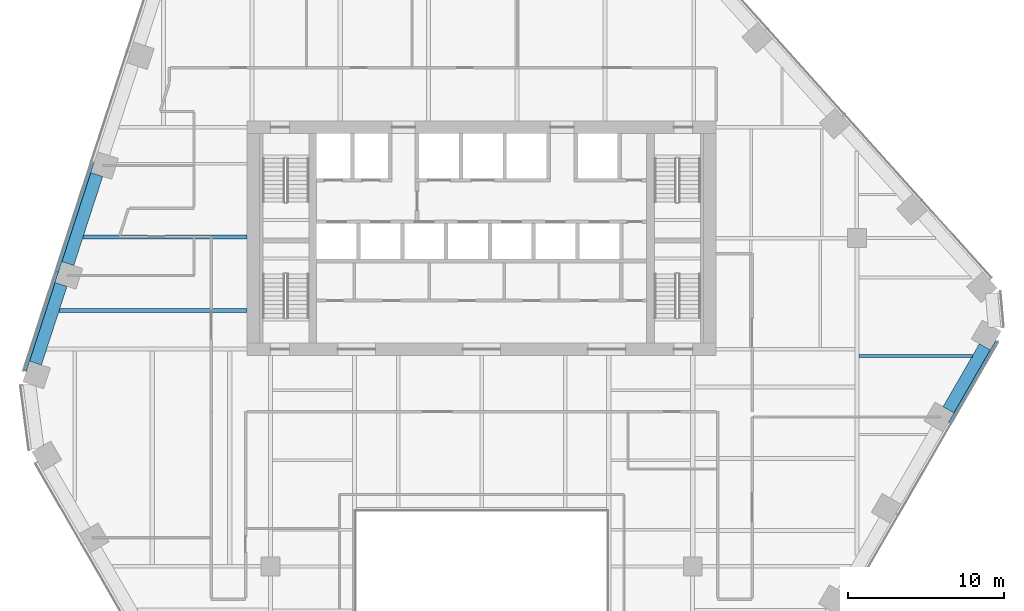
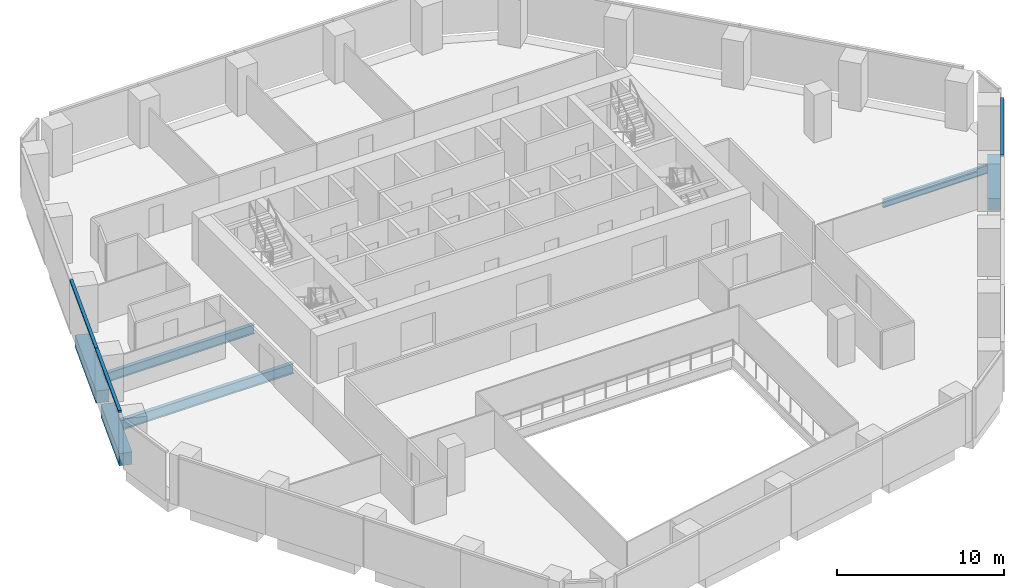
# One storey, part 6 of 16: 6 beams, 3 members, 2 elements without a shape of their own.
"""IFC4 building model written with IfcOpenShell, lengths in metres."""

from ifc_helpers import new_model, si_unit, direction, frame, origin, origin_2d, place, context, subcontext, project, spatial, rectangle, i_section, extrude, material, layer, layer_set, material_profile, profile_set, type_object, element, aggregate, save


model = new_model("IFC4")

# Units and contexts
model_context = context("Model", 3, precision=1e-05, world=origin(), true_north=direction((0.0, 1.0)))
body_context = subcontext(model_context, "Body", "Model", "MODEL_VIEW")
ifc_project = project(units=[si_unit("LENGTHUNIT", "METRE"), si_unit("AREAUNIT", "SQUARE_METRE"), si_unit("VOLUMEUNIT", "CUBIC_METRE"), si_unit("PLANEANGLEUNIT", "RADIAN"), si_unit("MASSUNIT", "GRAM", prefix="KILO")], contexts=[model_context])

# Site, building, storey
site_placement = place(None, origin())
site = spatial("IfcSite", under=ifc_project, at=site_placement, CompositionType="ELEMENT")
building_placement = place(site_placement, origin())
building = spatial("IfcBuilding", under=site, at=building_placement, Name="Isthmus Gate Tower", CompositionType="ELEMENT")
storey_placement = place(building_placement, frame((0.0, 0.0, 151.699951171875)))
storey = spatial("IfcBuildingStorey", under=building, at=storey_placement, Name="L37", CompositionType="ELEMENT", Elevation=151.699951171875)

# Curtain wall, members
ifc_material_1 = material(Name="Aluminium, pale champagne anodised", Category="aluminium")
ifc_layer = layer(ifc_material_1, 0.199951171875)
ifc_layer_set = layer_set([ifc_layer], Name="CW-1 UNITISED CURTAIN WALL 200 DEEP")
curtain_wall_type = type_object("IfcCurtainWallType", Name="CW-1 UNITISED CURTAIN WALL 200 DEEP", PredefinedType="NOTDEFINED", material=ifc_layer_set)
curtain_wall_1_placement = place(storey_placement, origin())
curtain_wall_1 = element("IfcCurtainWall", 1, at=curtain_wall_1_placement, inside=storey, type_object=curtain_wall_type, Name="CW-1 NW L37", PredefinedType="NOTDEFINED")
ifc_material_2 = material(Name="Aluminium, pale champagne anodised", Category="aluminium")
ifc_material_profile_1 = material_profile(ifc_material_2, rectangle(XDim=0.199951171875, YDim=0.139892578125, at=origin_2d()), Name="200x140")
ifc_profile_set_1 = profile_set([ifc_material_profile_1], Name="Aluminium, pale champagne anodised")
member_type = type_object("IfcMemberType", Name="CW-1 TRANSOM 200 X 140", PredefinedType="USERDEFINED", material=ifc_profile_set_1)
member_1_placement = place(storey_placement, frame((-24.896240234375, 12.33056640625, 3.580078125), z_axis=(-0.309025074527, -0.951053890857, 0.0), x_axis=(0.951053890857, -0.309025074527, 0.0)))
member_1 = element("IfcMember", 2, at=member_1_placement, type_object=member_type, Name="CW-1 transom", ObjectType="TRANSOM", PredefinedType="USERDEFINED", context=body_context, shape_type="SweptSolid", body=[
    extrude(rectangle(XDim=0.199951171875, YDim=0.139892578125, at=origin_2d()), origin(), (0.0, 0.0, 1.0), 7.330810546875),
])
member_2_placement = place(storey_placement, frame((-27.16162109375, 5.358642578125, 3.580078125), z_axis=(-0.309026665985, -0.951053373744, 0.0), x_axis=(0.951053373744, -0.309026665985, 0.0)))
member_2 = element("IfcMember", 3, at=member_2_placement, type_object=member_type, Name="CW-1 transom", ObjectType="TRANSOM", PredefinedType="USERDEFINED", context=body_context, shape_type="SweptSolid", body=[
    extrude(rectangle(XDim=0.199951171875, YDim=0.139892578125, at=origin_2d()), origin(), (0.0, 0.0, 1.0), 6.690673828125),
])
aggregate(curtain_wall_1, [member_1, member_2])

# Curtain wall, member
curtain_wall_2_placement = place(storey_placement, origin())
curtain_wall_2 = element("IfcCurtainWall", 4, at=curtain_wall_2_placement, inside=storey, type_object=curtain_wall_type, Name="CW-1 SE L37", PredefinedType="NOTDEFINED")
member_3_placement = place(storey_placement, frame((29.941162109375, -4.34033203125, 3.580078125), z_axis=(0.499997231551, 0.866027002143, 0.0), x_axis=(-0.866027002143, 0.499997231551, 0.0)))
member_3 = element("IfcMember", 5, at=member_3_placement, type_object=member_type, Name="CW-1 transom", ObjectType="TRANSOM", PredefinedType="USERDEFINED", context=body_context, shape_type="SweptSolid", body=[
    extrude(rectangle(XDim=0.199951171875, YDim=0.139892578125, at=origin_2d()), origin(), (0.0, 0.0, 1.0), 6.05029296875),
])
aggregate(curtain_wall_2, [member_3])

# Beams
ifc_material_3 = material(Name="Concrete f'c 60 MPa", Category="concrete")
ifc_material_profile_2 = material_profile(ifc_material_3, rectangle(XDim=0.800048828125, YDim=0.89990234375, at=origin_2d()), Name="RC 800X900")
ifc_profile_set_2 = profile_set([ifc_material_profile_2], Name="Concrete f'c 60 MPa")
beam_type_1 = type_object("IfcBeamType", Name="RC SPANDREL 800 X 900", PredefinedType="SPANDREL", material=ifc_profile_set_2)
beam_1_placement = place(storey_placement, frame((32.183349609375, 0.54296875, -0.449951171875), z_axis=(-0.500023913295, -0.866011596997, 0.0), x_axis=(0.866011596997, -0.500023913295, 0.0)))
element("IfcBeam", 6, at=beam_1_placement, inside=storey, type_object=beam_type_1, Name="str-spandrel-L37-06", PredefinedType="SPANDREL", context=body_context, shape_type="SweptSolid", body=[
    extrude(rectangle(XDim=0.800048828125, YDim=0.89990234375, at=origin_2d()), origin(), (0.0, 0.0, 1.0), 4.650146484375),
])
beam_2_placement = place(storey_placement, frame((-28.537353515625, -0.493408203125, -0.449951171875), z_axis=(0.309033901013, 0.951051022829, 0.0), x_axis=(-0.951051022829, 0.309033901013, 0.0)))
element("IfcBeam", 7, at=beam_2_placement, inside=storey, type_object=beam_type_1, Name="str-spandrel-L37-21", PredefinedType="SPANDREL", context=body_context, shape_type="SweptSolid", body=[
    extrude(rectangle(XDim=0.800048828125, YDim=0.89990234375, at=origin_2d()), origin(), (0.0, 0.0, 1.0), 5.290771484375),
])
beam_3_placement = place(storey_placement, frame((-26.4697265625, 5.869873046875, -0.449951171875), z_axis=(0.309029860788, 0.951052335648, 0.0), x_axis=(-0.951052335648, 0.309029860788, 0.0)))
element("IfcBeam", 8, at=beam_3_placement, inside=storey, type_object=beam_type_1, Name="str-spandrel-L37-22", PredefinedType="SPANDREL", context=body_context, shape_type="SweptSolid", body=[
    extrude(rectangle(XDim=0.800048828125, YDim=0.89990234375, at=origin_2d()), origin(), (0.0, 0.0, 1.0), 5.99072265625),
])
ifc_material_4 = material(Name="Structural steel ASTM A992 Gr 50", Category="steel")
ifc_material_profile_3 = material_profile(ifc_material_4, i_section(OverallWidth=0.177734375, OverallDepth=0.60009765625, WebThickness=0.009521484375, FlangeThickness=0.0126953125, at=origin_2d()), Name="W24X55")
ifc_profile_set_3 = profile_set([ifc_material_profile_3], Name="Structural steel ASTM A992 Gr 50")
beam_type_2 = type_object("IfcBeamType", Name="STEEL FLOOR BEAM W24X55", PredefinedType="JOIST", material=ifc_profile_set_3)
beam_4_placement = place(storey_placement, frame((24.13330078125, -0.037353515625, -0.449951171875), z_axis=(1.0, 0.0, 0.0), x_axis=(0.0, 1.0, 0.0)))
element("IfcBeam", 9, at=beam_4_placement, inside=storey, type_object=beam_type_2, Name="str-beam-L37-16-01", PredefinedType="JOIST", context=body_context, shape_type="SweptSolid", body=[
    extrude(i_section(OverallWidth=0.177734375, OverallDepth=0.60009765625, WebThickness=0.009521484375, FlangeThickness=0.0126953125, at=origin_2d()), origin(), (0.0, 0.0, 1.0), 7.2529296875),
])
ifc_material_5 = material(Name="Structural steel ASTM A992 Gr 50", Category="steel")
ifc_material_profile_4 = material_profile(ifc_material_5, i_section(OverallWidth=0.25390625, OverallDepth=0.679443359375, WebThickness=0.010986328125, FlangeThickness=0.015869140625, at=origin_2d()), Name="W27X84")
ifc_profile_set_4 = profile_set([ifc_material_profile_4], Name="Structural steel ASTM A992 Gr 50")
beam_type_3 = type_object("IfcBeamType", Name="STEEL FLOOR BEAM W27X84", PredefinedType="JOIST", material=ifc_profile_set_4)
beam_5_placement = place(storey_placement, frame((-25.498046875, 7.56591796875, -0.48974609375), z_axis=(1.0, 0.0, 0.0), x_axis=(0.0, 1.0, 0.0)))
element("IfcBeam", 10, at=beam_5_placement, inside=storey, type_object=beam_type_3, Name="str-beam-L37-01-01", PredefinedType="JOIST", context=body_context, shape_type="SweptSolid", body=[
    extrude(i_section(OverallWidth=0.25390625, OverallDepth=0.679443359375, WebThickness=0.010986328125, FlangeThickness=0.015869140625, at=origin_2d()), origin(), (0.0, 0.0, 1.0), 10.498046875),
])
ifc_material_6 = material(Name="Structural steel ASTM A992 Gr 50", Category="steel")
ifc_material_profile_5 = material_profile(ifc_material_6, i_section(OverallWidth=0.263427734375, OverallDepth=0.749267578125, WebThickness=0.0126953125, FlangeThickness=0.015869140625, at=origin_2d()), Name="W30X90")
ifc_profile_set_5 = profile_set([ifc_material_profile_5], Name="Structural steel ASTM A992 Gr 50")
beam_type_4 = type_object("IfcBeamType", Name="STEEL FLOOR BEAM W30X90", PredefinedType="JOIST", material=ifc_profile_set_5)
beam_6_placement = place(storey_placement, frame((-27.021728515625, 2.87646484375, -0.524658203125), z_axis=(1.0, 0.0, 0.0), x_axis=(0.0, 1.0, 0.0)))
element("IfcBeam", 11, at=beam_6_placement, inside=storey, type_object=beam_type_4, Name="str-beam-L37-01-00", PredefinedType="JOIST", context=body_context, shape_type="SweptSolid", body=[
    extrude(i_section(OverallWidth=0.263427734375, OverallDepth=0.749267578125, WebThickness=0.0126953125, FlangeThickness=0.015869140625, at=origin_2d()), origin(), (0.0, 0.0, 1.0), 12.021728515625),
])

save(model, "model.ifc")
